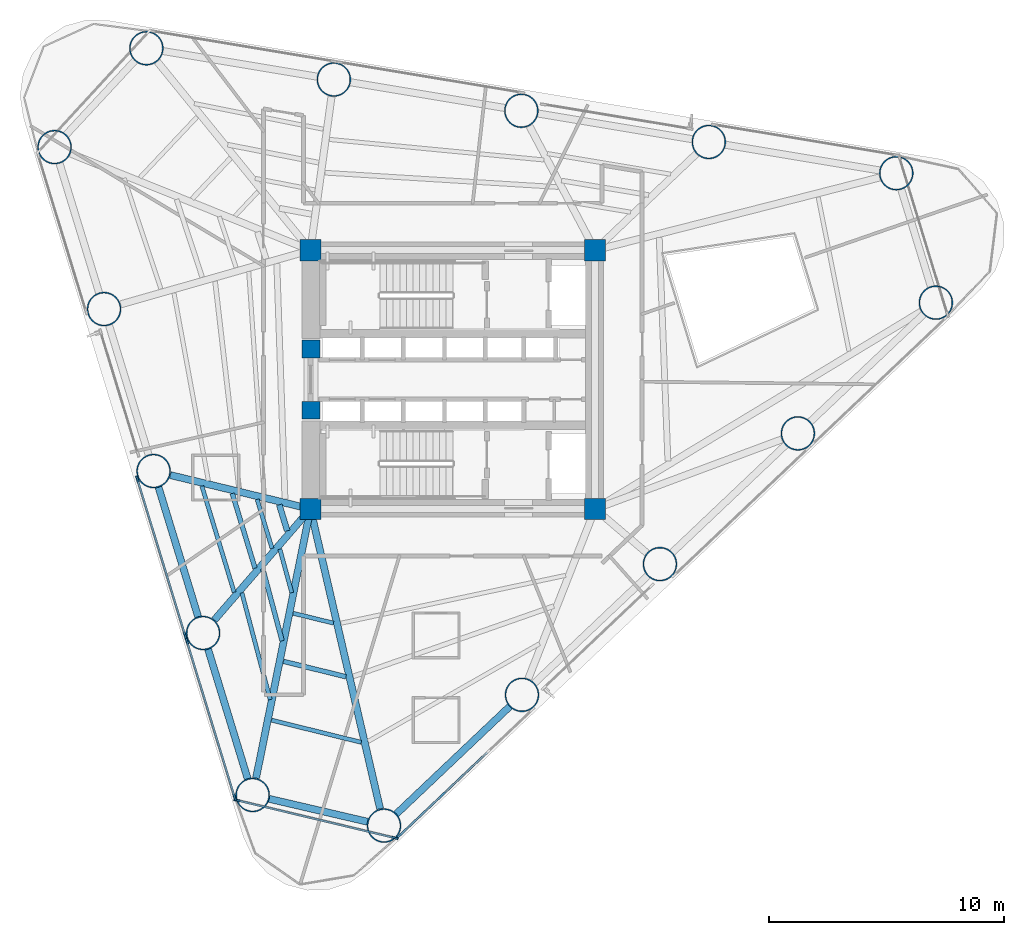
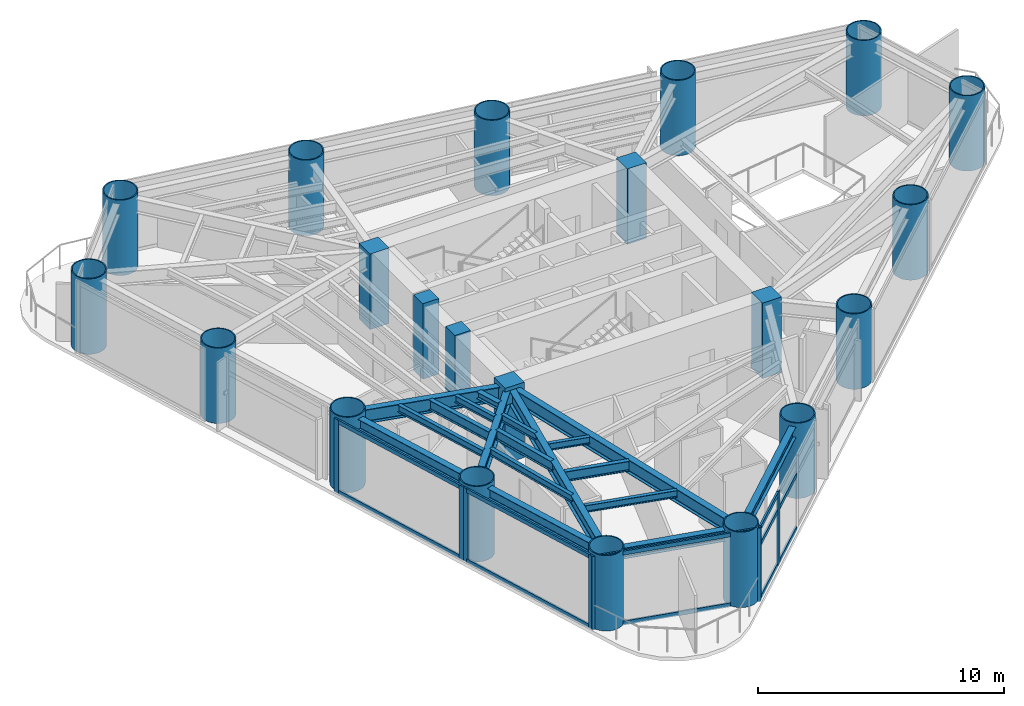
# One storey, part 1 of 10: 21 columns, 19 members, 18 beams, 4 elements without a shape of their own.
"""IFC4 building model written with IfcOpenShell, lengths in metres."""

import ifcopenshell
import ifcopenshell.guid

model = None  # the IFC model being written
_history = None  # IfcOwnerHistory: only IFC2X3 demands one
_inside = {}  # id of a spatial element -> (the spatial element, [elements in it])
_under = {}  # id of a project, library or spatial element -> (it, [spatial elements below it])
_declared = {}  # id of a project -> (the project, [libraries it declares])
_typed = {}  # id of a type object -> (the type object, [elements of that type])
_made_of = {}  # id of a material, layer set ... -> (it, [elements and type objects made of it])


def new_model(schema):
    """Start an empty IFC model of exactly this schema.

    Asked for "IFC4X3", IfcOpenShell would pick the latest addendum, in which some entities
    have other attributes; the version numbers below select the first issue.
    IFC2X3 requires an IfcOwnerHistory on every rooted entity: one is made here for all.
    """
    global model, _history
    if schema == "IFC4X3":
        model = ifcopenshell.file(schema_version=(4, 3, 0, 0))
    else:
        model = ifcopenshell.file(schema=schema)
    _inside.clear()
    _under.clear()
    _declared.clear()
    _typed.clear()
    _made_of.clear()
    _history = None
    if model.schema == "IFC2X3":
        org = make("IfcOrganization", Name="unknown")
        user = make(
            "IfcPersonAndOrganization",
            ThePerson=make("IfcPerson", FamilyName="unknown"),
            TheOrganization=org,
        )
        app = make(
            "IfcApplication",
            ApplicationDeveloper=org,
            Version="unknown",
            ApplicationFullName="unknown",
            ApplicationIdentifier="unknown",
        )
        _history = make(
            "IfcOwnerHistory",
            OwningUser=user,
            OwningApplication=app,
            ChangeAction="ADDED",
            CreationDate=0,
        )
    return model


def make(cls, **values):
    """One entity of the class cls with the attributes given. An attribute that is None is left unset."""
    return model.create_entity(
        cls, **{name: value for name, value in values.items() if value is not None}
    )


def rooted(cls, **values):
    """An entity with a GlobalId (a new one), such as an element, a storey or a relation."""
    return make(cls, GlobalId=ifcopenshell.guid.new(), OwnerHistory=_history, **values)


def si_unit(unit_type, name, prefix=None):
    """IfcSIUnit, for example si_unit("LENGTHUNIT", "METRE", prefix="MILLI")."""
    return make("IfcSIUnit", UnitType=unit_type, Prefix=prefix, Name=name)


def assignment(units):
    """IfcUnitAssignment: the units of a project."""
    return None if units is None else make("IfcUnitAssignment", Units=units)


def point(xyz):
    """IfcCartesianPoint."""
    return None if xyz is None else make("IfcCartesianPoint", Coordinates=xyz)


def direction(xyz):
    """IfcDirection."""
    return None if xyz is None else make("IfcDirection", DirectionRatios=xyz)


def frame(location, z_axis=None, x_axis=None):
    """IfcAxis2Placement3D, a coordinate frame: its origin and axes. An axis left out is left unset."""
    return make(
        "IfcAxis2Placement3D",
        Location=point(location),
        Axis=direction(z_axis),
        RefDirection=direction(x_axis),
    )


def frame_2d(location, x_axis=None):
    """IfcAxis2Placement2D, a coordinate frame in the plane: its origin and x axis."""
    return make(
        "IfcAxis2Placement2D", Location=point(location), RefDirection=direction(x_axis)
    )


def origin():
    """The frame at (0, 0, 0) with its axes left unset."""
    return frame((0.0, 0.0, 0.0))


def origin_2d():
    """The frame at (0, 0) in the plane with its x axis left unset."""
    return frame_2d((0.0, 0.0))


def place(relative_to, where):
    """IfcLocalPlacement: puts the frame where relative to a parent placement (None: the world)."""
    return make(
        "IfcLocalPlacement", PlacementRelTo=relative_to, RelativePlacement=where
    )


def context(
    kind, dimensions, precision=None, world=None, true_north=None, identifier=None
):
    """IfcGeometricRepresentationContext, for example the 3D "Model" context."""
    return make(
        "IfcGeometricRepresentationContext",
        ContextIdentifier=identifier,
        ContextType=kind,
        CoordinateSpaceDimension=dimensions,
        Precision=precision,
        WorldCoordinateSystem=world,
        TrueNorth=true_north,
    )


def subcontext(parent, identifier, kind, view, scale=None):
    """IfcGeometricRepresentationSubContext, for example "Body" below "Model"."""
    return make(
        "IfcGeometricRepresentationSubContext",
        ContextIdentifier=identifier,
        ContextType=kind,
        ParentContext=parent,
        TargetScale=scale,
        TargetView=view,
    )


def project(units=None, contexts=None):
    """IfcProject with its units and contexts."""
    return rooted(
        "IfcProject",
        Name="project",
        RepresentationContexts=contexts,
        UnitsInContext=assignment(units),
    )


def spatial(cls, under=None, at=None, **own):
    """A site, building, storey or space (cls), placed at a placement, below another one or the project."""
    s = rooted(cls, ObjectPlacement=at, **own)
    if under is not None:
        _under.setdefault(under.id(), (under, []))[1].append(s)
    return s


def profile(cls, at=None, kind="AREA", **sizes):
    """A parametric profile (cls). Its sizes go by their IFC names, for example OverallWidth=200.0."""
    return make(cls, ProfileType=kind, Position=at, **sizes)


def rectangle(**sizes):
    """IfcRectangleProfileDef."""
    return profile("IfcRectangleProfileDef", **sizes)


def hollow_circle(**sizes):
    """IfcCircleHollowProfileDef."""
    return profile("IfcCircleHollowProfileDef", **sizes)


def i_section(**sizes):
    """IfcIShapeProfileDef."""
    return profile("IfcIShapeProfileDef", **sizes)


def extrude(swept, where, along, depth):
    """IfcExtrudedAreaSolid: the profile swept, set in the frame where, extruded along a direction by depth."""
    return make(
        "IfcExtrudedAreaSolid",
        SweptArea=swept,
        Position=where,
        ExtrudedDirection=direction(along),
        Depth=depth,
    )


def shape(context_of_items, identifier, shape_type, items):
    """IfcShapeRepresentation: the items that make up one representation, for example the "Body"."""
    return make(
        "IfcShapeRepresentation",
        ContextOfItems=context_of_items,
        RepresentationIdentifier=identifier,
        RepresentationType=shape_type,
        Items=items,
    )


def source(mapping_origin, context_of_items, identifier, shape_type, items):
    """IfcRepresentationMap: a shape defined once, which mapped items show again and again."""
    return make(
        "IfcRepresentationMap",
        MappingOrigin=mapping_origin,
        MappedRepresentation=shape(context_of_items, identifier, shape_type, items),
    )


def transform(
    local_origin,
    x_axis=None,
    y_axis=None,
    z_axis=None,
    scale=None,
    scale2=None,
    scale3=None,
    uniform=True,
):
    """IfcCartesianTransformationOperator3D, or its non-uniform kind. x_axis, y_axis, z_axis: its Axis1, 2, 3."""
    if uniform:
        return make(
            "IfcCartesianTransformationOperator3D",
            Axis1=direction(x_axis),
            Axis2=direction(y_axis),
            LocalOrigin=point(local_origin),
            Scale=scale,
            Axis3=direction(z_axis),
        )
    return make(
        "IfcCartesianTransformationOperator3DnonUniform",
        Axis1=direction(x_axis),
        Axis2=direction(y_axis),
        LocalOrigin=point(local_origin),
        Scale=scale,
        Axis3=direction(z_axis),
        Scale2=scale2,
        Scale3=scale3,
    )


def mapped(mapping_source, mapping_target):
    """IfcMappedItem: shows the shape of a source again, moved by a transform."""
    return make(
        "IfcMappedItem", MappingSource=mapping_source, MappingTarget=mapping_target
    )


def material(Name=None, Category=None):
    """IfcMaterial."""
    return make("IfcMaterial", Name=Name, Category=Category)


def layer(
    of_material, thickness, ventilated=None, Name=None, Category=None, Priority=None
):
    """IfcMaterialLayer: one layer of a wall or slab, of a material (None: an air gap)."""
    return make(
        "IfcMaterialLayer",
        Material=of_material,
        LayerThickness=thickness,
        IsVentilated=ventilated,
        Name=Name,
        Category=Category,
        Priority=Priority,
    )


def layer_set(layers, Name=None):
    """IfcMaterialLayerSet."""
    return make("IfcMaterialLayerSet", MaterialLayers=layers, LayerSetName=Name)


def material_profile(
    of_material, cross_section, Name=None, Category=None, Priority=None
):
    """IfcMaterialProfile: a cross section and its material."""
    return make(
        "IfcMaterialProfile",
        Name=Name,
        Material=of_material,
        Profile=cross_section,
        Priority=Priority,
        Category=Category,
    )


def profile_set(profiles, Name=None, composite=None):
    """IfcMaterialProfileSet."""
    return make(
        "IfcMaterialProfileSet",
        Name=Name,
        MaterialProfiles=profiles,
        CompositeProfile=composite,
    )


def made_of(thing, what):
    """Note that an element or type object is made of a material, layer set ...; save() writes the relation."""
    if what is not None:
        _made_of.setdefault(what.id(), (what, []))[1].append(thing)
    return thing


def type_object(cls, material=None, **own):
    """A type object (cls), such as IfcWallType, which elements share."""
    return made_of(rooted(cls, **own), material)


def element(
    cls,
    number,
    at=None,
    inside=None,
    cuts=None,
    type_object=None,
    material=None,
    context=None,
    identifier="Body",
    shape_type=None,
    held_by="IfcProductDefinitionShape",
    body=None,
    shapes=None,
    **own,
):
    """One element of the class cls, such as IfcWall. Its Tag is "e" and its number.

    at: its placement. inside: the storey or other place that contains it. cuts: it is an
    opening in that element (IfcRelVoidsElement). A single representation is given by context,
    identifier, shape_type and body (its items); several are given by shapes. held_by: the class
    of the entity that holds the representations. save() writes the other relations.
    """
    e = rooted(cls, Tag="e%d" % number, ObjectPlacement=at, **own)
    if body is not None:
        shapes = [shape(context, identifier, shape_type, body)]
    if shapes is not None:
        e.Representation = make(held_by, Representations=shapes)
    if inside is not None:
        _inside.setdefault(inside.id(), (inside, []))[1].append(e)
    if cuts is not None:
        rooted(
            "IfcRelVoidsElement", RelatingBuildingElement=cuts, RelatedOpeningElement=e
        )
    if type_object is not None:
        _typed.setdefault(type_object.id(), (type_object, []))[1].append(e)
    return made_of(e, material)


def aggregate(whole, parts):
    """IfcRelAggregates: a whole, such as a stair, and the parts it consists of."""
    return rooted("IfcRelAggregates", RelatingObject=whole, RelatedObjects=parts)


def save(model, path):
    """Write the relations noted so far, then the file.

    IfcRelAggregates (storeys below a building ...), IfcRelContainedInSpatialStructure (elements
    in a storey), IfcRelDefinesByType, IfcRelAssociatesMaterial and IfcRelDeclares: one each for
    every whole, place, type object, material and project.
    """
    for whole, parts in _under.values():
        aggregate(whole, parts)
    for where, things in _inside.values():
        rooted(
            "IfcRelContainedInSpatialStructure",
            RelatedElements=things,
            RelatingStructure=where,
        )
    for kind, things in _typed.values():
        rooted("IfcRelDefinesByType", RelatedObjects=things, RelatingType=kind)
    for what, things in _made_of.values():
        rooted("IfcRelAssociatesMaterial", RelatedObjects=things, RelatingMaterial=what)
    for by, libraries in _declared.values():
        rooted("IfcRelDeclares", RelatingContext=by, RelatedDefinitions=libraries)
    model.write(path)


model = new_model("IFC4")

# Units and contexts
model_context = context("Model", 3, precision=1e-05, world=origin(), true_north=direction((0.0, 1.0)))
body_context = subcontext(model_context, "Body", "Model", "MODEL_VIEW")
ifc_project = project(units=[si_unit("LENGTHUNIT", "METRE"), si_unit("AREAUNIT", "SQUARE_METRE"), si_unit("VOLUMEUNIT", "CUBIC_METRE"), si_unit("PLANEANGLEUNIT", "RADIAN"), si_unit("MASSUNIT", "GRAM", prefix="KILO")], contexts=[model_context])

# Site, building, storey
site_placement = place(None, origin())
site = spatial("IfcSite", under=ifc_project, at=site_placement, CompositionType="ELEMENT")
building_placement = place(site_placement, origin())
building = spatial("IfcBuilding", under=site, at=building_placement, Name="Yunling Apex Tower", CompositionType="ELEMENT")
storey_placement = place(building_placement, frame((0.0, 0.0, 93.64990234375)))
storey = spatial("IfcBuildingStorey", under=building, at=storey_placement, Name="L23", CompositionType="ELEMENT", Elevation=93.64990234375)

# Columns
ifc_material_1 = material(Name="Concrete C60", Category="concrete")
ifc_material_profile_1 = material_profile(ifc_material_1, rectangle(XDim=0.89990234375, YDim=0.89990234375, at=origin_2d()))
ifc_profile_set_1 = profile_set([ifc_material_profile_1], Name="Concrete C60")
column_type_1 = type_object("IfcColumnType", Name="PC-SRC-3", PredefinedType="COLUMN", material=ifc_profile_set_1)
shared_shape_1 = source(origin(), body_context, "Body", "SweptSolid", [
    extrude(rectangle(XDim=0.89990234375, YDim=0.89990234375, at=origin_2d()), origin(), (0.0, 0.0, 1.0), 3.75),
])
for number, where, z_axis, x_axis, name in (
    (1, (-6.050048828125, -5.5, 0.0), (0.0, 0.0, 1.0), (1.0, 0.0, 0.0), "L23 Core Spine Column CC-SW"),
    (2, (6.050048828125, -5.5, 0.0), (0.0, 0.0, 1.0), (1.0, 0.0, 0.0), "L23 Core Spine Column CC-SE"),
    (3, (6.050048828125, 5.5, 0.0), (0.0, 0.0, 1.0), (1.0, 0.0, 0.0), "L23 Core Spine Column CC-NE"),
    (4, (-6.050048828125, 5.5, 0.0), (0.0, 0.0, 1.0), (1.0, 0.0, 0.0), "L23 Core Spine Column CC-NW"),
):
    element("IfcColumn", number, at=place(storey_placement, frame(where, z_axis=z_axis, x_axis=x_axis)), inside=storey, type_object=column_type_1, Name=name, PredefinedType="COLUMN", context=body_context, shape_type="MappedRepresentation", body=[
        mapped(shared_shape_1, transform((0.0, 0.0, 0.0), scale=1.0)),
    ])
ifc_material_2 = material(Name="Concrete C50", Category="concrete")
ifc_material_profile_2 = material_profile(ifc_material_2, rectangle(XDim=0.75, YDim=0.75, at=origin_2d()))
ifc_profile_set_2 = profile_set([ifc_material_profile_2], Name="Concrete C50")
column_type_2 = type_object("IfcColumnType", Name="PC-SRC-4", PredefinedType="COLUMN", material=ifc_profile_set_2)
shared_shape_2 = source(origin(), body_context, "Body", "SweptSolid", [
    extrude(rectangle(XDim=0.75, YDim=0.75, at=origin_2d()), origin(), (0.0, 0.0, 1.0), 3.75),
])
for number, where, z_axis, x_axis, name in (
    (5, (-6.02490234375, -1.300048828125, 0.0), (0.0, 0.0, 1.0), (1.0, 0.0, 0.0), "L23 Core West Portal Jamb Column S"),
    (6, (-6.02490234375, 1.300048828125, 0.0), (0.0, 0.0, 1.0), (1.0, 0.0, 0.0), "L23 Core West Portal Jamb Column N"),
):
    element("IfcColumn", number, at=place(storey_placement, frame(where, z_axis=z_axis, x_axis=x_axis)), inside=storey, type_object=column_type_2, Name=name, PredefinedType="COLUMN", context=body_context, shape_type="MappedRepresentation", body=[
        mapped(shared_shape_2, transform((0.0, 0.0, 0.0), scale=1.0)),
    ])
ifc_material_3 = material(Name="Steel Q390GJC", Category="steel")
ifc_material_profile_3 = material_profile(ifc_material_3, hollow_circle(Radius=0.72509765625, WallThickness=0.050048828125, at=origin_2d()))
ifc_profile_set_3 = profile_set([ifc_material_profile_3], Name="Steel Q390GJC")
column_type_3 = type_object("IfcColumnType", Name="MC-CFST-2", PredefinedType="COLUMN", material=ifc_profile_set_3)
shared_shape_3 = source(origin(), body_context, "Body", "SweptSolid", [
    extrude(hollow_circle(Radius=0.72509765625, WallThickness=0.050048828125, at=origin_2d()), origin(), (0.0, 0.0, 1.0), 3.75),
])
for number, where, z_axis, x_axis, name in (
    (7, (-2.92138671875, -18.960205078125, 0.0), (0.0, 0.0, 1.0), (1.0, 0.0, 0.0), "L23 Perimeter CFST Mega-Column P01"),
    (8, (2.943359375, -13.40234375, 0.0), (0.0, 0.0, 1.0), (1.0, 0.0, 0.0), "L23 Perimeter CFST Mega-Column P02"),
    (9, (8.80810546875, -7.8447265625, 0.0), (0.0, 0.0, 1.0), (1.0, 0.0, 0.0), "L23 Perimeter CFST Mega-Column P03"),
    (10, (14.6728515625, -2.287109375, 0.0), (0.0, 0.0, 1.0), (1.0, 0.0, 0.0), "L23 Perimeter CFST Mega-Column P04"),
    (11, (20.53759765625, 3.2705078125, 0.0), (0.0, 0.0, 1.0), (1.0, 0.0, 0.0), "L23 Perimeter CFST Mega-Column P05"),
    (12, (18.855224609375, 8.77294921875, 0.0), (0.0, 0.0, 1.0), (1.0, 0.0, 0.0), "L23 Perimeter CFST Mega-Column P06"),
    (13, (10.88525390625, 10.10107421875, 0.0), (0.0, 0.0, 1.0), (1.0, 0.0, 0.0), "L23 Perimeter CFST Mega-Column P07"),
    (14, (2.915283203125, 11.428955078125, 0.0), (0.0, 0.0, 1.0), (1.0, 0.0, 0.0), "L23 Perimeter CFST Mega-Column P08"),
    (15, (-5.054443359375, 12.757080078125, 0.0), (0.0, 0.0, 1.0), (1.0, 0.0, 0.0), "L23 Perimeter CFST Mega-Column P09"),
    (16, (-13.0244140625, 14.0849609375, 0.0), (0.0, 0.0, 1.0), (1.0, 0.0, 0.0), "L23 Perimeter CFST Mega-Column P10"),
    (17, (-16.927490234375, 9.88330078125, 0.0), (0.0, 0.0, 1.0), (1.0, 0.0, 0.0), "L23 Perimeter CFST Mega-Column P11"),
    (18, (-14.822509765625, 2.99755859375, 0.0), (0.0, 0.0, 1.0), (1.0, 0.0, 0.0), "L23 Perimeter CFST Mega-Column P12"),
    (19, (-12.71728515625, -3.887939453125, 0.0), (0.0, 0.0, 1.0), (1.0, 0.0, 0.0), "L23 Perimeter CFST Mega-Column P13"),
    (20, (-10.612060546875, -10.773681640625, 0.0), (0.0, 0.0, 1.0), (1.0, 0.0, 0.0), "L23 Perimeter CFST Mega-Column P14"),
    (21, (-8.5068359375, -17.6591796875, 0.0), (0.0, 0.0, 1.0), (1.0, 0.0, 0.0), "L23 Perimeter CFST Mega-Column P15"),
):
    element("IfcColumn", number, at=place(storey_placement, frame(where, z_axis=z_axis, x_axis=x_axis)), inside=storey, type_object=column_type_3, Name=name, PredefinedType="COLUMN", context=body_context, shape_type="MappedRepresentation", body=[
        mapped(shared_shape_3, transform((0.0, 0.0, 0.0), scale=1.0)),
    ])

# Beams
ifc_material_4 = material(Name="Steel Q355B", Category="steel")
ifc_material_profile_4 = material_profile(ifc_material_4, i_section(OverallWidth=0.300048828125, OverallDepth=0.5400390625, WebThickness=0.011962890625, FlangeThickness=0.02001953125, FilletRadius=0.02392578125, at=origin_2d()))
ifc_profile_set_4 = profile_set([ifc_material_profile_4], Name="Steel Q355B")
beam_type_1 = type_object("IfcBeamType", Name="BP-SPN-1", PredefinedType="SPANDREL", material=ifc_profile_set_4)
shared_shape_4 = source(origin(), body_context, "Body", "SweptSolid", [
    extrude(i_section(OverallWidth=0.300048828125, OverallDepth=0.5400390625, WebThickness=0.011962890625, FlangeThickness=0.02001953125, FilletRadius=0.02392578125, at=origin_2d()), origin(), (0.0, 0.0, 1.0), 6.6416015625),
])
beam_1_placement = place(storey_placement, frame((-2.3994140625, -18.465576171875, 3.295166015625), z_axis=(0.725837728974, 0.68786596892, 0.0), x_axis=(-0.68786596892, 0.725837728974, 0.0)))
element("IfcBeam", 22, at=beam_1_placement, inside=storey, type_object=beam_type_1, Name="L23 Perimeter Spandrel Beam 1", PredefinedType="SPANDREL", context=body_context, shape_type="MappedRepresentation", body=[
    mapped(shared_shape_4, transform((0.0, 0.0, 0.0), scale=1.0)),
])
shared_shape_5 = source(origin(), body_context, "Body", "SweptSolid", [
    extrude(i_section(OverallWidth=0.300048828125, OverallDepth=0.5400390625, WebThickness=0.011962890625, FlangeThickness=0.02001953125, FilletRadius=0.02392578125, at=origin_2d()), origin(), (0.0, 0.0, 1.0), 5.76220703125),
])
for number, where, z_axis, x_axis, name in (
    (23, (-12.507080078125, -4.57568359375, 3.295166015625), (0.292385374143, -0.956300576695, 0.0), (0.956300576695, 0.292385374143, 0.0), "L23 Perimeter Spandrel Beam 13"),
    (24, (-10.40185546875, -11.461181640625, 3.295166015625), (0.292385374143, -0.956300576695, 0.0), (0.956300576695, 0.292385374143, 0.0), "L23 Perimeter Spandrel Beam 14"),
):
    element("IfcBeam", number, at=place(storey_placement, frame(where, z_axis=z_axis, x_axis=x_axis)), inside=storey, type_object=beam_type_1, Name=name, PredefinedType="SPANDREL", context=body_context, shape_type="MappedRepresentation", body=[
        mapped(shared_shape_5, transform((0.0, 0.0, 0.0), scale=1.0)),
    ])
shared_shape_6 = source(origin(), body_context, "Body", "SweptSolid", [
    extrude(i_section(OverallWidth=0.300048828125, OverallDepth=0.5400390625, WebThickness=0.011962890625, FlangeThickness=0.02001953125, FilletRadius=0.02392578125, at=origin_2d()), origin(), (0.0, 0.0, 1.0), 4.297119140625),
])
beam_2_placement = place(storey_placement, frame((-7.806640625, -17.822509765625, 3.295166015625), z_axis=(0.973939184954, -0.226809312002, 0.0), x_axis=(0.226809312002, 0.973939184954, 0.0)))
element("IfcBeam", 25, at=beam_2_placement, inside=storey, type_object=beam_type_1, Name="L23 Perimeter Spandrel Beam 15", PredefinedType="SPANDREL", context=body_context, shape_type="MappedRepresentation", body=[
    mapped(shared_shape_6, transform((0.0, 0.0, 0.0), scale=1.0)),
])
ifc_material_profile_5 = material_profile(ifc_material_4, i_section(OverallWidth=0.300048828125, OverallDepth=0.699951171875, WebThickness=0.012939453125, FlangeThickness=0.02392578125, FilletRadius=0.02587890625, at=origin_2d()))
ifc_profile_set_5 = profile_set([ifc_material_profile_5], Name="Steel Q355B")
beam_type_2 = type_object("IfcBeamType", Name="BG-PRI-3", PredefinedType="USERDEFINED", material=ifc_profile_set_5)
shared_shape_7 = source(origin(), body_context, "Body", "SweptSolid", [
    extrude(i_section(OverallWidth=0.300048828125, OverallDepth=0.699951171875, WebThickness=0.012939453125, FlangeThickness=0.02392578125, FilletRadius=0.02587890625, at=origin_2d()), origin(), (0.0, 0.0, 1.0), 13.005859375),
])
beam_3_placement = place(storey_placement, frame((-3.08740234375, -18.24609375, 3.215087890625), z_axis=(-0.226402915749, 0.974033736449, 0.0), x_axis=(-0.974033736449, -0.226402915749, 0.0)))
element("IfcBeam", 26, at=beam_3_placement, inside=storey, type_object=beam_type_2, Name="L23 Radial Primary Girder R01", ObjectType="GIRDER", PredefinedType="USERDEFINED", context=body_context, shape_type="MappedRepresentation", body=[
    mapped(shared_shape_7, transform((0.0, 0.0, 0.0), scale=1.0)),
])
shared_shape_8 = source(origin(), body_context, "Body", "SweptSolid", [
    extrude(i_section(OverallWidth=0.300048828125, OverallDepth=0.699951171875, WebThickness=0.012939453125, FlangeThickness=0.02392578125, FilletRadius=0.02587890625, at=origin_2d()), origin(), (0.0, 0.0, 1.0), 6.046630859375),
])
beam_4_placement = place(storey_placement, frame((-12.0048828125, -4.060302734375, 3.215087890625), z_axis=(0.971996717199, -0.234994429199, 0.0), x_axis=(0.234994429199, 0.971996717199, 0.0)))
element("IfcBeam", 27, at=beam_4_placement, inside=storey, type_object=beam_type_2, Name="L23 Radial Primary Girder R13", ObjectType="GIRDER", PredefinedType="USERDEFINED", context=body_context, shape_type="MappedRepresentation", body=[
    mapped(shared_shape_8, transform((0.0, 0.0, 0.0), scale=1.0)),
])
shared_shape_9 = source(origin(), body_context, "Body", "SweptSolid", [
    extrude(i_section(OverallWidth=0.300048828125, OverallDepth=0.699951171875, WebThickness=0.012939453125, FlangeThickness=0.02392578125, FilletRadius=0.02587890625, at=origin_2d()), origin(), (0.0, 0.0, 1.0), 6.16015625),
])
beam_5_placement = place(storey_placement, frame((-10.132568359375, -10.21923828125, 3.215087890625), z_axis=(0.654257326822, 0.756272008142, 0.0), x_axis=(-0.756272008142, 0.654257326822, 0.0)))
element("IfcBeam", 28, at=beam_5_placement, inside=storey, type_object=beam_type_2, Name="L23 Radial Primary Girder R14", ObjectType="GIRDER", PredefinedType="USERDEFINED", context=body_context, shape_type="MappedRepresentation", body=[
    mapped(shared_shape_9, transform((0.0, 0.0, 0.0), scale=1.0)),
])
shared_shape_10 = source(origin(), body_context, "Body", "SweptSolid", [
    extrude(i_section(OverallWidth=0.300048828125, OverallDepth=0.699951171875, WebThickness=0.012939453125, FlangeThickness=0.02392578125, FilletRadius=0.02587890625, at=origin_2d()), origin(), (0.0, 0.0, 1.0), 11.59228515625),
])
beam_6_placement = place(storey_placement, frame((-8.36181640625, -16.94091796875, 3.215087890625), z_axis=(0.198055775124, 0.980190751813, 0.0), x_axis=(-0.980190751813, 0.198055775124, 0.0)))
element("IfcBeam", 29, at=beam_6_placement, inside=storey, type_object=beam_type_2, Name="L23 Radial Primary Girder R15", ObjectType="GIRDER", PredefinedType="USERDEFINED", context=body_context, shape_type="MappedRepresentation", body=[
    mapped(shared_shape_10, transform((0.0, 0.0, 0.0), scale=1.0)),
])
ifc_material_profile_6 = material_profile(ifc_material_4, i_section(OverallWidth=0.199951171875, OverallDepth=0.5, WebThickness=0.010009765625, FlangeThickness=0.01611328125, FilletRadius=0.02001953125, at=origin_2d()))
ifc_profile_set_6 = profile_set([ifc_material_profile_6], Name="Steel Q355B")
beam_type_3 = type_object("IfcBeamType", Name="BS-SEC-2", PredefinedType="BEAM", material=ifc_profile_set_6)
shared_shape_11 = source(origin(), body_context, "Body", "SweptSolid", [
    extrude(i_section(OverallWidth=0.199951171875, OverallDepth=0.5, WebThickness=0.010009765625, FlangeThickness=0.01611328125, FilletRadius=0.02001953125, at=origin_2d()), origin(), (0.0, 0.0, 1.0), 3.321533203125),
])
beam_7_placement = place(storey_placement, frame((-9.372314453125, -4.838623046875, 3.315185546875), z_axis=(0.291000743066, -0.956722826912, 0.0), x_axis=(0.956722826912, 0.291000743066, 0.0)))
element("IfcBeam", 30, at=beam_7_placement, inside=storey, type_object=beam_type_3, Name="L23 Composite Floor Beam BS-13", PredefinedType="BEAM", context=body_context, shape_type="MappedRepresentation", body=[
    mapped(shared_shape_11, transform((0.0, 0.0, 0.0), scale=1.0)),
])
ifc_material_profile_7 = material_profile(ifc_material_4, i_section(OverallWidth=0.175048828125, OverallDepth=0.35009765625, WebThickness=0.007080078125, FlangeThickness=0.010986328125, FilletRadius=0.013916015625, at=origin_2d()))
ifc_profile_set_7 = profile_set([ifc_material_profile_7], Name="Steel Q355B")
beam_type_4 = type_object("IfcBeamType", Name="BJ-JST-1", PredefinedType="JOIST", material=ifc_profile_set_7)
shared_shape_12 = source(origin(), body_context, "Body", "SweptSolid", [
    extrude(i_section(OverallWidth=0.175048828125, OverallDepth=0.35009765625, WebThickness=0.007080078125, FlangeThickness=0.010986328125, FilletRadius=0.013916015625, at=origin_2d()), origin(), (0.0, 0.0, 1.0), 4.719482421875),
])
beam_8_placement = place(storey_placement, frame((-10.665283203125, -4.52587890625, 3.39013671875), z_axis=(0.290881649014, -0.95675904295, 0.0), x_axis=(0.95675904295, 0.290881649014, 0.0)))
element("IfcBeam", 31, at=beam_8_placement, inside=storey, type_object=beam_type_4, Name="L23 Composite Floor Joist BJ1-13", PredefinedType="JOIST", context=body_context, shape_type="MappedRepresentation", body=[
    mapped(shared_shape_12, transform((0.0, 0.0, 0.0), scale=1.0)),
])
shared_shape_13 = source(origin(), body_context, "Body", "SweptSolid", [
    extrude(i_section(OverallWidth=0.175048828125, OverallDepth=0.35009765625, WebThickness=0.007080078125, FlangeThickness=0.010986328125, FilletRadius=0.013916015625, at=origin_2d()), origin(), (0.0, 0.0, 1.0), 2.177734375),
])
beam_9_placement = place(storey_placement, frame((-8.314453125, -5.09423828125, 3.39013671875), z_axis=(0.291130389824, -0.956683383425, 0.0), x_axis=(0.956683383425, 0.291130389824, 0.0)))
element("IfcBeam", 32, at=beam_9_placement, inside=storey, type_object=beam_type_4, Name="L23 Composite Floor Joist BJ3-13", PredefinedType="JOIST", context=body_context, shape_type="MappedRepresentation", body=[
    mapped(shared_shape_13, transform((0.0, 0.0, 0.0), scale=1.0)),
])
ifc_material_profile_8 = material_profile(ifc_material_4, i_section(OverallWidth=0.25, OverallDepth=0.340087890625, WebThickness=0.009033203125, FlangeThickness=0.013916015625, FilletRadius=0.01806640625, at=origin_2d()))
ifc_profile_set_8 = profile_set([ifc_material_profile_8], Name="Steel Q355B")
beam_type_5 = type_object("IfcBeamType", Name="BJ-JST-2", PredefinedType="JOIST", material=ifc_profile_set_8)
shared_shape_14 = source(origin(), body_context, "Body", "SweptSolid", [
    extrude(i_section(OverallWidth=0.25, OverallDepth=0.340087890625, WebThickness=0.009033203125, FlangeThickness=0.013916015625, FilletRadius=0.01806640625, at=origin_2d()), origin(), (0.0, 0.0, 1.0), 1.160888671875),
])
beam_10_placement = place(storey_placement, frame((-7.3740234375, -5.32177734375, 3.39501953125), z_axis=(0.291454472577, -0.956584701119, 0.0), x_axis=(0.956584701119, 0.291454472577, 0.0)))
element("IfcBeam", 33, at=beam_10_placement, inside=storey, type_object=beam_type_5, Name="L23 Composite Floor Joist BJ2-13", PredefinedType="JOIST", context=body_context, shape_type="MappedRepresentation", body=[
    mapped(shared_shape_14, transform((0.0, 0.0, 0.0), scale=1.0)),
])
shared_shape_15 = source(origin(), body_context, "Body", "SweptSolid", [
    extrude(i_section(OverallWidth=0.199951171875, OverallDepth=0.5, WebThickness=0.010009765625, FlangeThickness=0.01611328125, FilletRadius=0.02001953125, at=origin_2d()), origin(), (0.0, 0.0, 1.0), 3.168701171875),
])
beam_11_placement = place(storey_placement, frame((-8.075927734375, -8.04443359375, 3.315185546875), z_axis=(0.259033901524, -0.965868230071, 0.0), x_axis=(0.965868230071, 0.259033901524, 0.0)))
element("IfcBeam", 34, at=beam_11_placement, inside=storey, type_object=beam_type_3, Name="L23 Composite Floor Beam BS-14", PredefinedType="BEAM", context=body_context, shape_type="MappedRepresentation", body=[
    mapped(shared_shape_15, transform((0.0, 0.0, 0.0), scale=1.0)),
])
shared_shape_16 = source(origin(), body_context, "Body", "SweptSolid", [
    extrude(i_section(OverallWidth=0.175048828125, OverallDepth=0.35009765625, WebThickness=0.007080078125, FlangeThickness=0.010986328125, FilletRadius=0.013916015625, at=origin_2d()), origin(), (0.0, 0.0, 1.0), 4.69189453125),
])
beam_12_placement = place(storey_placement, frame((-8.962890625, -9.069580078125, 3.39013671875), z_axis=(0.256370213066, -0.966578664079, 0.0), x_axis=(0.966578664079, 0.256370213066, 0.0)))
element("IfcBeam", 35, at=beam_12_placement, inside=storey, type_object=beam_type_4, Name="L23 Composite Floor Joist BJ1-14", PredefinedType="JOIST", context=body_context, shape_type="MappedRepresentation", body=[
    mapped(shared_shape_16, transform((0.0, 0.0, 0.0), scale=1.0)),
])
shared_shape_17 = source(origin(), body_context, "Body", "SweptSolid", [
    extrude(i_section(OverallWidth=0.175048828125, OverallDepth=0.35009765625, WebThickness=0.007080078125, FlangeThickness=0.010986328125, FilletRadius=0.013916015625, at=origin_2d()), origin(), (0.0, 0.0, 1.0), 1.92236328125),
])
beam_13_placement = place(storey_placement, frame((-7.349853515625, -7.205810546875, 3.39013671875), z_axis=(0.263783616245, -0.964581880299, 0.0), x_axis=(0.964581880299, 0.263783616245, 0.0)))
element("IfcBeam", 36, at=beam_13_placement, inside=storey, type_object=beam_type_4, Name="L23 Composite Floor Joist BJ3-14", PredefinedType="JOIST", context=body_context, shape_type="MappedRepresentation", body=[
    mapped(shared_shape_17, transform((0.0, 0.0, 0.0), scale=1.0)),
])
shared_shape_18 = source(origin(), body_context, "Body", "SweptSolid", [
    extrude(i_section(OverallWidth=0.199951171875, OverallDepth=0.5, WebThickness=0.010009765625, FlangeThickness=0.01611328125, FilletRadius=0.02001953125, at=origin_2d()), origin(), (0.0, 0.0, 1.0), 2.737060546875),
])
beam_14_placement = place(storey_placement, frame((-7.196044921875, -11.9794921875, 3.315185546875), z_axis=(0.971007234619, -0.239050100016, 0.0), x_axis=(0.239050100016, 0.971007234619, 0.0)))
element("IfcBeam", 37, at=beam_14_placement, inside=storey, type_object=beam_type_3, Name="L23 Composite Floor Beam BS-15", PredefinedType="BEAM", context=body_context, shape_type="MappedRepresentation", body=[
    mapped(shared_shape_18, transform((0.0, 0.0, 0.0), scale=1.0)),
])
shared_shape_19 = source(origin(), body_context, "Body", "SweptSolid", [
    extrude(i_section(OverallWidth=0.175048828125, OverallDepth=0.35009765625, WebThickness=0.007080078125, FlangeThickness=0.010986328125, FilletRadius=0.013916015625, at=origin_2d()), origin(), (0.0, 0.0, 1.0), 3.925537109375),
])
beam_15_placement = place(storey_placement, frame((-7.701416015625, -14.4794921875, 3.39013671875), z_axis=(0.970833614746, -0.239754233494, 0.0), x_axis=(0.239754233494, 0.970833614746, 0.0)))
element("IfcBeam", 38, at=beam_15_placement, inside=storey, type_object=beam_type_4, Name="L23 Composite Floor Joist BJ1-15", PredefinedType="JOIST", context=body_context, shape_type="MappedRepresentation", body=[
    mapped(shared_shape_19, transform((0.0, 0.0, 0.0), scale=1.0)),
])
shared_shape_20 = source(origin(), body_context, "Body", "SweptSolid", [
    extrude(i_section(OverallWidth=0.175048828125, OverallDepth=0.35009765625, WebThickness=0.007080078125, FlangeThickness=0.010986328125, FilletRadius=0.013916015625, at=origin_2d()), origin(), (0.0, 0.0, 1.0), 1.764892578125),
])
beam_16_placement = place(storey_placement, frame((-6.78271484375, -9.93408203125, 3.39013671875), z_axis=(0.971318830932, -0.237780841694, 0.0), x_axis=(0.237780841694, 0.971318830932, 0.0)))
element("IfcBeam", 39, at=beam_16_placement, inside=storey, type_object=beam_type_4, Name="L23 Composite Floor Joist BJ3-15", PredefinedType="JOIST", context=body_context, shape_type="MappedRepresentation", body=[
    mapped(shared_shape_20, transform((0.0, 0.0, 0.0), scale=1.0)),
])

# Curtain wall, members
ifc_material_5 = material(Name="Bronze anodised aluminium", Category="aluminium")
ifc_layer = layer(ifc_material_5, 0.260009765625)
ifc_layer_set = layer_set([ifc_layer], Name="Bronze anodised aluminium")
curtain_wall_type = type_object("IfcCurtainWallType", Name="CW-SYS-2", PredefinedType="NOTDEFINED", material=ifc_layer_set)
curtain_wall_1_placement = place(storey_placement, origin())
curtain_wall_1 = element("IfcCurtainWall", 40, at=curtain_wall_1_placement, inside=storey, type_object=curtain_wall_type, Name="CW-L23-F1-B1", PredefinedType="NOTDEFINED")
ifc_material_profile_9 = material_profile(ifc_material_5, rectangle(XDim=0.0849609375, YDim=0.260009765625, at=origin_2d()))
ifc_profile_set_9 = profile_set([ifc_material_profile_9], Name="Bronze anodised aluminium")
member_type_1 = type_object("IfcMemberType", Name="CW-MUL-2", PredefinedType="MULLION", material=ifc_profile_set_9)
shared_shape_21 = source(origin(), body_context, "Body", "SweptSolid", [
    extrude(rectangle(XDim=0.0849609375, YDim=0.260009765625, at=origin_2d()), origin(), (0.0, 0.0, 1.0), 3.664794921875),
])
member_1_placement = place(storey_placement, frame((-2.3095703125, -19.427490234375, -0.0498046875), z_axis=(0.0, 0.0, 1.0), x_axis=(-0.687861264918, 0.72584218686, 0.0)))
member_1 = element("IfcMember", 41, at=member_1_placement, type_object=member_type_1, Name="CW-SYS-2 mullion 1", PredefinedType="MULLION", context=body_context, shape_type="MappedRepresentation", body=[
    mapped(shared_shape_21, transform((0.0, 0.0, 0.0), scale=1.0)),
])
member_2_placement = place(storey_placement, frame((-0.42431640625, -17.640869140625, -0.0498046875), z_axis=(0.0, 0.0, 1.0), x_axis=(-0.687861264918, 0.72584218686, 0.0)))
member_2 = element("IfcMember", 42, at=member_2_placement, type_object=member_type_1, Name="CW-SYS-2 mullion 2", PredefinedType="MULLION", context=body_context, shape_type="MappedRepresentation", body=[
    mapped(shared_shape_21, transform((0.0, 0.0, 0.0), scale=1.0)),
])

curtain_wall_2_placement = place(storey_placement, origin())
curtain_wall_2 = element("IfcCurtainWall", 43, at=curtain_wall_2_placement, inside=storey, type_object=curtain_wall_type, Name="CW-L23-F3-B3", PredefinedType="NOTDEFINED")
member_3_placement = place(storey_placement, frame((-13.408203125, -4.227294921875, -0.0498046875), z_axis=(0.0, 0.0, 1.0), x_axis=(0.956304476342, 0.292372619321, 0.0)))
member_3 = element("IfcMember", 44, at=member_3_placement, type_object=member_type_1, Name="CW-SYS-2 mullion 1", PredefinedType="MULLION", context=body_context, shape_type="MappedRepresentation", body=[
    mapped(shared_shape_21, transform((0.0, 0.0, 0.0), scale=1.0)),
])
member_4_placement = place(storey_placement, frame((-11.374755859375, -10.878662109375, -0.0498046875), z_axis=(0.0, 0.0, 1.0), x_axis=(0.956304476342, 0.292372619321, 0.0)))
member_4 = element("IfcMember", 45, at=member_4_placement, type_object=member_type_1, Name="CW-SYS-2 mullion 2", PredefinedType="MULLION", context=body_context, shape_type="MappedRepresentation", body=[
    mapped(shared_shape_21, transform((0.0, 0.0, 0.0), scale=1.0)),
])

curtain_wall_3_placement = place(storey_placement, origin())
curtain_wall_3 = element("IfcCurtainWall", 46, at=curtain_wall_3_placement, inside=storey, type_object=curtain_wall_type, Name="CW-L23-F3-B4", PredefinedType="NOTDEFINED")
member_5_placement = place(storey_placement, frame((-11.302978515625, -11.113037109375, -0.0498046875), z_axis=(0.0, 0.0, 1.0), x_axis=(0.956304476342, 0.292372619321, 0.0)))
member_5 = element("IfcMember", 47, at=member_5_placement, type_object=member_type_1, Name="CW-SYS-2 mullion 1", PredefinedType="MULLION", context=body_context, shape_type="MappedRepresentation", body=[
    mapped(shared_shape_21, transform((0.0, 0.0, 0.0), scale=1.0)),
])
member_6_placement = place(storey_placement, frame((-9.26953125, -17.764404296875, -0.0498046875), z_axis=(0.0, 0.0, 1.0), x_axis=(0.956304476342, 0.292372619321, 0.0)))
member_6 = element("IfcMember", 48, at=member_6_placement, type_object=member_type_1, Name="CW-SYS-2 mullion 2", PredefinedType="MULLION", context=body_context, shape_type="MappedRepresentation", body=[
    mapped(shared_shape_21, transform((0.0, 0.0, 0.0), scale=1.0)),
])

curtain_wall_4_placement = place(storey_placement, origin())
curtain_wall_4 = element("IfcCurtainWall", 49, at=curtain_wall_4_placement, inside=storey, type_object=curtain_wall_type, Name="CW-L23-CRN3", PredefinedType="NOTDEFINED")
member_7_placement = place(storey_placement, frame((-9.17333984375, -17.885498046875, -0.0498046875), z_axis=(0.0, 0.0, 1.0), x_axis=(0.23189504865, 0.972740811528, 0.0)))
member_7 = element("IfcMember", 50, at=member_7_placement, type_object=member_type_1, Name="CW-SYS-2 mullion 1", PredefinedType="MULLION", context=body_context, shape_type="MappedRepresentation", body=[
    mapped(shared_shape_21, transform((0.0, 0.0, 0.0), scale=1.0)),
])
member_8_placement = place(storey_placement, frame((-2.453857421875, -19.487548828125, -0.0498046875), z_axis=(0.0, 0.0, 1.0), x_axis=(0.23189504865, 0.972740811528, 0.0)))
member_8 = element("IfcMember", 51, at=member_8_placement, type_object=member_type_1, Name="CW-SYS-2 mullion 2", PredefinedType="MULLION", context=body_context, shape_type="MappedRepresentation", body=[
    mapped(shared_shape_21, transform((0.0, 0.0, 0.0), scale=1.0)),
])

# Member
ifc_material_profile_10 = material_profile(ifc_material_5, rectangle(XDim=0.0849609375, YDim=0.199951171875, at=origin_2d()))
ifc_profile_set_10 = profile_set([ifc_material_profile_10], Name="Bronze anodised aluminium")
member_type_2 = type_object("IfcMemberType", Name="CW-TRN-2", PredefinedType="USERDEFINED", material=ifc_profile_set_10)
shared_shape_22 = source(origin(), body_context, "Body", "SweptSolid", [
    extrude(rectangle(XDim=0.0849609375, YDim=0.199951171875, at=origin_2d()), origin(), (0.0, 0.0, 1.0), 2.52099609375),
])
member_9_placement = place(storey_placement, frame((-2.281982421875, -19.4013671875, 0.04248046875), z_axis=(0.725833069148, 0.687870885945, 0.0), x_axis=(-0.687870885945, 0.725833069148, 0.0)))
member_9 = element("IfcMember", 52, at=member_9_placement, type_object=member_type_2, Name="CW-SYS-2 transom 1.1", ObjectType="TRANSOM", PredefinedType="USERDEFINED", context=body_context, shape_type="MappedRepresentation", body=[
    mapped(shared_shape_22, transform((0.0, 0.0, 0.0), scale=1.0)),
])

member_10_placement = place(storey_placement, frame((-2.281982421875, -19.4013671875, 2.715087890625), z_axis=(0.725833069148, 0.687870885945, 0.0), x_axis=(-0.687870885945, 0.725833069148, 0.0)))
member_10 = element("IfcMember", 53, at=member_10_placement, type_object=member_type_2, Name="CW-SYS-2 transom 1.2", ObjectType="TRANSOM", PredefinedType="USERDEFINED", context=body_context, shape_type="MappedRepresentation", body=[
    mapped(shared_shape_22, transform((0.0, 0.0, 0.0), scale=1.0)),
])

member_11_placement = place(storey_placement, frame((-2.281982421875, -19.4013671875, 3.522705078125), z_axis=(0.725833069148, 0.687870885945, 0.0), x_axis=(-0.687870885945, 0.725833069148, 0.0)))
member_11 = element("IfcMember", 54, at=member_11_placement, type_object=member_type_2, Name="CW-SYS-2 transom 1.3", ObjectType="TRANSOM", PredefinedType="USERDEFINED", context=body_context, shape_type="MappedRepresentation", body=[
    mapped(shared_shape_22, transform((0.0, 0.0, 0.0), scale=1.0)),
])

shared_shape_23 = source(origin(), body_context, "Body", "SweptSolid", [
    extrude(rectangle(XDim=0.0849609375, YDim=0.199951171875, at=origin_2d()), origin(), (0.0, 0.0, 1.0), 2.563232421875),
])
member_12_placement = place(storey_placement, frame((-0.396484375, -17.614501953125, 0.04248046875), z_axis=(0.725852566003, 0.687850312515, 0.0), x_axis=(-0.687850312515, 0.725852566003, 0.0)))
member_12 = element("IfcMember", 55, at=member_12_placement, type_object=member_type_2, Name="CW-SYS-2 transom 2.1", ObjectType="TRANSOM", PredefinedType="USERDEFINED", context=body_context, shape_type="MappedRepresentation", body=[
    mapped(shared_shape_23, transform((0.0, 0.0, 0.0), scale=1.0)),
])

member_13_placement = place(storey_placement, frame((-0.396484375, -17.614501953125, 2.715087890625), z_axis=(0.725852566003, 0.687850312515, 0.0), x_axis=(-0.687850312515, 0.725852566003, 0.0)))
member_13 = element("IfcMember", 56, at=member_13_placement, type_object=member_type_2, Name="CW-SYS-2 transom 2.2", ObjectType="TRANSOM", PredefinedType="USERDEFINED", context=body_context, shape_type="MappedRepresentation", body=[
    mapped(shared_shape_23, transform((0.0, 0.0, 0.0), scale=1.0)),
])

aggregate(curtain_wall_1, [member_1, member_2, member_9, member_10, member_11, member_12, member_13])

shared_shape_24 = source(origin(), body_context, "Body", "SweptSolid", [
    extrude(rectangle(XDim=0.0849609375, YDim=0.199951171875, at=origin_2d()), origin(), (0.0, 0.0, 1.0), 6.831298828125),
])
member_14_placement = place(storey_placement, frame((-9.135986328125, -17.89453125, 0.04248046875), z_axis=(0.972745593735, -0.231874987587, 0.0), x_axis=(0.231874987587, 0.972745593735, 0.0)))
member_14 = element("IfcMember", 57, at=member_14_placement, type_object=member_type_2, Name="CW-SYS-2 transom 1.1", ObjectType="TRANSOM", PredefinedType="USERDEFINED", context=body_context, shape_type="MappedRepresentation", body=[
    mapped(shared_shape_24, transform((0.0, 0.0, 0.0), scale=1.0)),
])

member_15_placement = place(storey_placement, frame((-9.135986328125, -17.89453125, 3.522705078125), z_axis=(0.972745593735, -0.231874987587, 0.0), x_axis=(0.231874987587, 0.972745593735, 0.0)))
member_15 = element("IfcMember", 58, at=member_15_placement, type_object=member_type_2, Name="CW-SYS-2 transom 1.2", ObjectType="TRANSOM", PredefinedType="USERDEFINED", context=body_context, shape_type="MappedRepresentation", body=[
    mapped(shared_shape_24, transform((0.0, 0.0, 0.0), scale=1.0)),
])

aggregate(curtain_wall_4, [member_7, member_8, member_14, member_15])

shared_shape_25 = source(origin(), body_context, "Body", "SweptSolid", [
    extrude(rectangle(XDim=0.0849609375, YDim=0.199951171875, at=origin_2d()), origin(), (0.0, 0.0, 1.0), 6.878662109375),
])
member_16_placement = place(storey_placement, frame((-11.2919921875, -11.149658203125, 0.04248046875), z_axis=(0.29238444517, -0.956300860725, 0.0), x_axis=(0.956300860725, 0.29238444517, 0.0)))
member_16 = element("IfcMember", 59, at=member_16_placement, type_object=member_type_2, Name="CW-SYS-2 transom 1.1", ObjectType="TRANSOM", PredefinedType="USERDEFINED", context=body_context, shape_type="MappedRepresentation", body=[
    mapped(shared_shape_25, transform((0.0, 0.0, 0.0), scale=1.0)),
])

member_17_placement = place(storey_placement, frame((-11.2919921875, -11.149658203125, 3.522705078125), z_axis=(0.29238444517, -0.956300860725, 0.0), x_axis=(0.956300860725, 0.29238444517, 0.0)))
member_17 = element("IfcMember", 60, at=member_17_placement, type_object=member_type_2, Name="CW-SYS-2 transom 1.2", ObjectType="TRANSOM", PredefinedType="USERDEFINED", context=body_context, shape_type="MappedRepresentation", body=[
    mapped(shared_shape_25, transform((0.0, 0.0, 0.0), scale=1.0)),
])

aggregate(curtain_wall_3, [member_5, member_6, member_16, member_17])

shared_shape_26 = source(origin(), body_context, "Body", "SweptSolid", [
    extrude(rectangle(XDim=0.0849609375, YDim=0.199951171875, at=origin_2d()), origin(), (0.0, 0.0, 1.0), 6.87890625),
])
member_18_placement = place(storey_placement, frame((-13.39697265625, -4.263916015625, 0.04248046875), z_axis=(0.29234206402, -0.956313817533, 0.0), x_axis=(0.956313817533, 0.29234206402, 0.0)))
member_18 = element("IfcMember", 61, at=member_18_placement, type_object=member_type_2, Name="CW-SYS-2 transom 1.1", ObjectType="TRANSOM", PredefinedType="USERDEFINED", context=body_context, shape_type="MappedRepresentation", body=[
    mapped(shared_shape_26, transform((0.0, 0.0, 0.0), scale=1.0)),
])

member_19_placement = place(storey_placement, frame((-13.39697265625, -4.263916015625, 3.522705078125), z_axis=(0.29234206402, -0.956313817533, 0.0), x_axis=(0.956313817533, 0.29234206402, 0.0)))
member_19 = element("IfcMember", 62, at=member_19_placement, type_object=member_type_2, Name="CW-SYS-2 transom 1.2", ObjectType="TRANSOM", PredefinedType="USERDEFINED", context=body_context, shape_type="MappedRepresentation", body=[
    mapped(shared_shape_26, transform((0.0, 0.0, 0.0), scale=1.0)),
])

aggregate(curtain_wall_2, [member_3, member_4, member_18, member_19])

save(model, "model.ifc")
